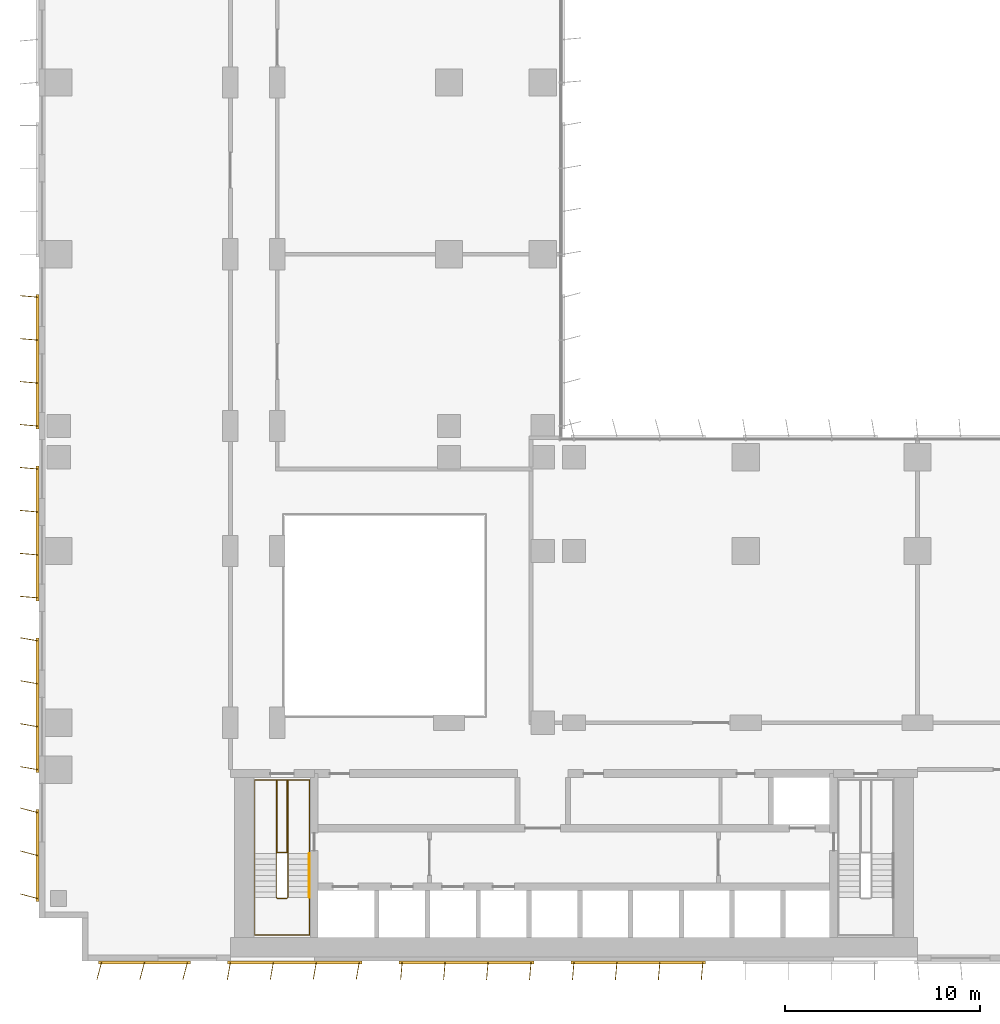
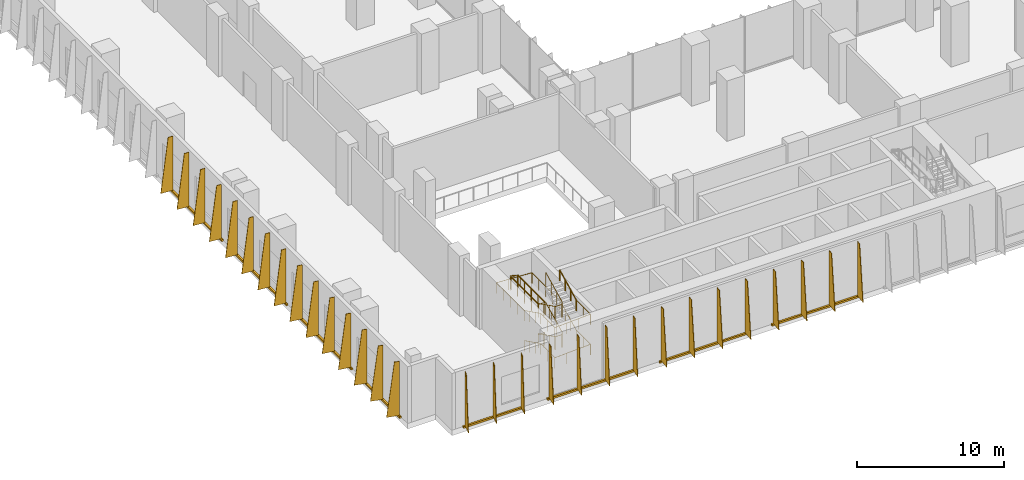
# One storey, part 18 of 23: 8 shading devices, 4 railings.
"""IFC4 building model written with IfcOpenShell, lengths in metres."""

from ifc_helpers import new_model, si_unit, direction, frame, origin, origin_2d, place, context, subcontext, project, spatial, polyline, rectangle, circle, outline, extrude, source, transform, mapped, material, layer, layer_set, type_object, element, save


model = new_model("IFC4")

# Units and contexts
model_context = context("Model", 3, precision=1e-05, world=origin(), true_north=direction((0.0, 1.0)))
body_context = subcontext(model_context, "Body", "Model", "MODEL_VIEW")
ifc_project = project(units=[si_unit("LENGTHUNIT", "METRE"), si_unit("AREAUNIT", "SQUARE_METRE"), si_unit("VOLUMEUNIT", "CUBIC_METRE"), si_unit("PLANEANGLEUNIT", "RADIAN"), si_unit("MASSUNIT", "GRAM", prefix="KILO")], contexts=[model_context])

# Site, building, storey
site_placement = place(None, origin())
site = spatial("IfcSite", under=ifc_project, at=site_placement, CompositionType="ELEMENT")
building_placement = place(site_placement, origin())
building = spatial("IfcBuilding", under=site, at=building_placement, Name="Kemantara Hotel Tower", CompositionType="ELEMENT")
storey_placement = place(building_placement, frame((0.0, 0.0, 71.0)))
storey = spatial("IfcBuildingStorey", under=building, at=storey_placement, Name="L16", CompositionType="ELEMENT", Elevation=71.0)

# Railings
ifc_material_1 = material(Name="Stainless steel balustrade", Category="steel")
railing_type_1 = type_object("IfcRailingType", Name="Stair guard 1100 mm", PredefinedType="GUARDRAIL", material=ifc_material_1)
railing_1_placement = place(storey_placement, frame((12.75, 5.5, 5.0)))
element("IfcRailing", 1, at=railing_1_placement, inside=storey, type_object=railing_type_1, Name="L16 ST1 stair guard 1", PredefinedType="GUARDRAIL", context=body_context, shape_type="SweptSolid", body=[
    extrude(circle(Radius=0.02392578125, at=origin_2d()), frame((0.0, 0.0, 1.076171875), z_axis=(0.0, -0.895848192791, -0.444360231651), x_axis=(1.0, 0.0, 0.0)), (0.0, 0.0, 1.0), 2.50048828125),
    extrude(circle(Radius=0.02392578125, at=origin_2d()), frame((0.0, -2.239990234375, -0.03515625), z_axis=(-0.321014310373, -0.321014310373, -0.891010451718), x_axis=(0.707106781187, -0.707106781187, 0.0)), (0.0, 0.0, 1.0), 0.156005859375),
    extrude(circle(Radius=0.02392578125, at=origin_2d()), frame((-0.050048828125, -2.2900390625, -0.173828125), z_axis=(-1.0, 0.0, 0.0), x_axis=(0.0, -1.0, 0.0)), (0.0, 0.0, 1.0), 0.5),
    extrude(circle(Radius=0.02392578125, at=origin_2d()), frame((-0.550048828125, -2.2900390625, -0.173828125), z_axis=(-0.707106781187, 0.707106781187, 0.0), x_axis=(-0.707106781187, -0.707106781187, 0.0)), (0.0, 0.0, 1.0), 0.07080078125),
    extrude(circle(Radius=0.02392578125, at=origin_2d()), frame((-0.60009765625, -2.239990234375, -0.173828125), z_axis=(0.0, 0.895848192791, -0.444360231651), x_axis=(-1.0, 0.0, 0.0)), (0.0, 0.0, 1.0), 2.50048828125),
    extrude(circle(Radius=0.02392578125, at=origin_2d()), frame((-0.60009765625, 0.0, -1.28515625), z_axis=(0.0, 1.0, 0.0), x_axis=(-1.0, 0.0, 0.0)), (0.0, 0.0, 1.0), 3.780029296875),
    extrude(circle(Radius=0.02392578125, at=origin_2d()), frame((-0.60009765625, 3.780029296875, -1.28515625), z_axis=(0.969557479204, 0.0, -0.244863828525), x_axis=(0.0, 1.0, 0.0)), (0.0, 0.0, 1.0), 0.5673828125),
    extrude(circle(Radius=0.02392578125, at=origin_2d()), frame((-0.050048828125, 3.780029296875, -1.423828125), z_axis=(0.0, -1.0, 0.0), x_axis=(1.0, 0.0, 0.0)), (0.0, 0.0, 1.0), 3.72998046875),
    extrude(circle(Radius=0.02392578125, at=origin_2d()), frame((-0.050048828125, 0.050048828125, -1.423828125), z_axis=(-1.0, 0.0, 0.0), x_axis=(0.0, -1.0, 0.0)), (0.0, 0.0, 1.0), 0.5),
    extrude(circle(Radius=0.02392578125, at=origin_2d()), frame((-0.550048828125, 0.050048828125, -1.423828125), z_axis=(0.0, 1.0, 0.0), x_axis=(-1.0, 0.0, 0.0)), (0.0, 0.0, 1.0), 3.72998046875),
    extrude(circle(Radius=0.02392578125, at=origin_2d()), frame((-0.550048828125, 3.780029296875, -1.423828125), z_axis=(1.0, 0.0, 0.0), x_axis=(0.0, 1.0, 0.0)), (0.0, 0.0, 1.0), 0.550048828125),
    extrude(circle(Radius=0.02392578125, at=origin_2d()), frame((0.0, 3.780029296875, -1.423828125), z_axis=(0.0, -1.0, 0.0), x_axis=(1.0, 0.0, 0.0)), (0.0, 0.0, 1.0), 3.780029296875),
    extrude(circle(Radius=0.02392578125, at=origin_2d()), frame((0.0, 0.0, -1.423828125), z_axis=(0.0, -0.895848192791, -0.444360231651), x_axis=(1.0, 0.0, 0.0)), (0.0, 0.0, 1.0), 2.50048828125),
    extrude(circle(Radius=0.02392578125, at=origin_2d()), frame((0.0, -2.239990234375, -2.53515625), z_axis=(-0.321014310373, -0.321014310373, -0.891010451718), x_axis=(0.707106781187, -0.707106781187, 0.0)), (0.0, 0.0, 1.0), 0.156005859375),
    extrude(circle(Radius=0.02392578125, at=origin_2d()), frame((-0.050048828125, -2.2900390625, -2.673828125), z_axis=(-1.0, 0.0, 0.0), x_axis=(0.0, -1.0, 0.0)), (0.0, 0.0, 1.0), 0.5),
    extrude(circle(Radius=0.02392578125, at=origin_2d()), frame((-0.550048828125, -2.2900390625, -2.673828125), z_axis=(-0.707106781187, 0.707106781187, 0.0), x_axis=(-0.707106781187, -0.707106781187, 0.0)), (0.0, 0.0, 1.0), 0.07080078125),
    extrude(circle(Radius=0.02392578125, at=origin_2d()), frame((-0.60009765625, -2.239990234375, -2.673828125), z_axis=(0.0, 0.895848192791, -0.444360231651), x_axis=(-1.0, 0.0, 0.0)), (0.0, 0.0, 1.0), 2.50048828125),
    extrude(circle(Radius=0.02392578125, at=origin_2d()), frame((-0.60009765625, 0.0, -3.78515625), z_axis=(0.321014310373, 0.321014310373, -0.891010451718), x_axis=(-0.707106781187, 0.707106781187, 0.0)), (0.0, 0.0, 1.0), 0.156005859375),
    extrude(circle(Radius=0.02392578125, at=origin_2d()), frame((-0.550048828125, 0.050048828125, -3.923828125), z_axis=(1.0, 0.0, 0.0), x_axis=(0.0, 1.0, 0.0)), (0.0, 0.0, 1.0), 0.5),
    extrude(circle(Radius=0.02099609375, at=origin_2d()), origin(), (0.0, 0.0, 1.0), 1.052001953125),
    extrude(circle(Radius=0.02099609375, at=origin_2d()), frame((0.0, -0.74658203125, -0.370361328125)), (0.0, 0.0, 1.0), 1.052001953125),
    extrude(circle(Radius=0.02099609375, at=origin_2d()), frame((0.0, -1.493408203125, -0.74072265625)), (0.0, 0.0, 1.0), 1.052001953125),
    extrude(circle(Radius=0.02099609375, at=origin_2d()), frame((0.0, -2.239990234375, -1.111083984375)), (0.0, 0.0, 1.0), 1.052001953125),
    extrude(circle(Radius=0.02099609375, at=origin_2d()), frame((-0.050048828125, -2.2900390625, -1.25)), (0.0, 0.0, 1.0), 1.052001953125),
    extrude(circle(Radius=0.02099609375, at=origin_2d()), frame((-0.550048828125, -2.2900390625, -1.25)), (0.0, 0.0, 1.0), 1.052001953125),
    extrude(circle(Radius=0.02099609375, at=origin_2d()), frame((-0.60009765625, -2.239990234375, -1.25)), (0.0, 0.0, 1.0), 1.052001953125),
    extrude(circle(Radius=0.02099609375, at=origin_2d()), frame((-0.60009765625, -1.493408203125, -1.620361328125)), (0.0, 0.0, 1.0), 1.052001953125),
    extrude(circle(Radius=0.02099609375, at=origin_2d()), frame((-0.60009765625, -0.74658203125, -1.99072265625)), (0.0, 0.0, 1.0), 1.052001953125),
    extrude(circle(Radius=0.02099609375, at=origin_2d()), frame((-0.60009765625, 0.0, -2.361083984375)), (0.0, 0.0, 1.0), 1.052001953125),
    extrude(circle(Radius=0.02099609375, at=origin_2d()), frame((-0.60009765625, 0.945068359375, -2.361083984375)), (0.0, 0.0, 1.0), 1.052001953125),
    extrude(circle(Radius=0.02099609375, at=origin_2d()), frame((-0.60009765625, 1.89013671875, -2.361083984375)), (0.0, 0.0, 1.0), 1.052001953125),
    extrude(circle(Radius=0.02099609375, at=origin_2d()), frame((-0.60009765625, 2.8349609375, -2.361083984375)), (0.0, 0.0, 1.0), 1.052001953125),
    extrude(circle(Radius=0.02099609375, at=origin_2d()), frame((-0.60009765625, 3.780029296875, -2.361083984375)), (0.0, 0.0, 1.0), 1.052001953125),
    extrude(circle(Radius=0.02099609375, at=origin_2d()), frame((-0.050048828125, 3.780029296875, -2.5)), (0.0, 0.0, 1.0), 1.052001953125),
    extrude(circle(Radius=0.02099609375, at=origin_2d()), frame((-0.050048828125, 2.84765625, -2.5)), (0.0, 0.0, 1.0), 1.052001953125),
    extrude(circle(Radius=0.02099609375, at=origin_2d()), frame((-0.050048828125, 1.9150390625, -2.5)), (0.0, 0.0, 1.0), 1.052001953125),
    extrude(circle(Radius=0.02099609375, at=origin_2d()), frame((-0.050048828125, 0.982421875, -2.5)), (0.0, 0.0, 1.0), 1.052001953125),
    extrude(circle(Radius=0.02099609375, at=origin_2d()), frame((-0.050048828125, 0.050048828125, -2.5)), (0.0, 0.0, 1.0), 1.052001953125),
    extrude(circle(Radius=0.02099609375, at=origin_2d()), frame((-0.550048828125, 0.050048828125, -2.5)), (0.0, 0.0, 1.0), 1.052001953125),
    extrude(circle(Radius=0.02099609375, at=origin_2d()), frame((-0.550048828125, 0.982421875, -2.5)), (0.0, 0.0, 1.0), 1.052001953125),
    extrude(circle(Radius=0.02099609375, at=origin_2d()), frame((-0.550048828125, 1.9150390625, -2.5)), (0.0, 0.0, 1.0), 1.052001953125),
    extrude(circle(Radius=0.02099609375, at=origin_2d()), frame((-0.550048828125, 2.84765625, -2.5)), (0.0, 0.0, 1.0), 1.052001953125),
    extrude(circle(Radius=0.02099609375, at=origin_2d()), frame((-0.550048828125, 3.780029296875, -2.5)), (0.0, 0.0, 1.0), 1.052001953125),
    extrude(circle(Radius=0.02099609375, at=origin_2d()), frame((0.0, 3.780029296875, -2.5)), (0.0, 0.0, 1.0), 1.052001953125),
    extrude(circle(Radius=0.02099609375, at=origin_2d()), frame((0.0, 2.8349609375, -2.5)), (0.0, 0.0, 1.0), 1.052001953125),
    extrude(circle(Radius=0.02099609375, at=origin_2d()), frame((0.0, 1.89013671875, -2.5)), (0.0, 0.0, 1.0), 1.052001953125),
    extrude(circle(Radius=0.02099609375, at=origin_2d()), frame((0.0, 0.945068359375, -2.5)), (0.0, 0.0, 1.0), 1.052001953125),
    extrude(circle(Radius=0.02099609375, at=origin_2d()), frame((0.0, 0.0, -2.5)), (0.0, 0.0, 1.0), 1.052001953125),
    extrude(circle(Radius=0.02099609375, at=origin_2d()), frame((0.0, -0.74658203125, -2.870361328125)), (0.0, 0.0, 1.0), 1.052001953125),
    extrude(circle(Radius=0.02099609375, at=origin_2d()), frame((0.0, -1.493408203125, -3.24072265625)), (0.0, 0.0, 1.0), 1.052001953125),
    extrude(circle(Radius=0.02099609375, at=origin_2d()), frame((0.0, -2.239990234375, -3.611083984375)), (0.0, 0.0, 1.0), 1.052001953125),
    extrude(circle(Radius=0.02099609375, at=origin_2d()), frame((-0.050048828125, -2.2900390625, -3.75)), (0.0, 0.0, 1.0), 1.052001953125),
    extrude(circle(Radius=0.02099609375, at=origin_2d()), frame((-0.550048828125, -2.2900390625, -3.75)), (0.0, 0.0, 1.0), 1.052001953125),
    extrude(circle(Radius=0.02099609375, at=origin_2d()), frame((-0.60009765625, -2.239990234375, -3.75)), (0.0, 0.0, 1.0), 1.052001953125),
    extrude(circle(Radius=0.02099609375, at=origin_2d()), frame((-0.60009765625, -1.493408203125, -4.120361328125)), (0.0, 0.0, 1.0), 1.052001953125),
    extrude(circle(Radius=0.02099609375, at=origin_2d()), frame((-0.60009765625, -0.74658203125, -4.49072265625)), (0.0, 0.0, 1.0), 1.052001953125),
    extrude(circle(Radius=0.02099609375, at=origin_2d()), frame((-0.60009765625, 0.0, -4.861083984375)), (0.0, 0.0, 1.0), 1.052001953125),
    extrude(circle(Radius=0.02099609375, at=origin_2d()), frame((-0.550048828125, 0.050048828125, -5.0)), (0.0, 0.0, 1.0), 1.052001953125),
    extrude(circle(Radius=0.02099609375, at=origin_2d()), frame((-0.050048828125, 0.050048828125, -5.0)), (0.0, 0.0, 1.0), 1.052001953125),
])
railing_type_2 = type_object("IfcRailingType", Name="Stair handrail 900 mm", PredefinedType="HANDRAIL", material=ifc_material_1)
railing_2_placement = place(storey_placement, frame((11.050048828125, 5.5, 0.138916015625)))
element("IfcRailing", 2, at=railing_2_placement, inside=storey, type_object=railing_type_2, Name="L16 ST1 stair handrail 1", PredefinedType="HANDRAIL", context=body_context, shape_type="SweptSolid", body=[
    extrude(circle(Radius=0.02392578125, at=origin_2d()), frame((0.0, 0.0, 0.8759765625), z_axis=(0.0, -0.895848192791, 0.444360231651), x_axis=(1.0, 0.0, 0.0)), (0.0, 0.0, 1.0), 2.50048828125),
    extrude(circle(Radius=0.02392578125, at=origin_2d()), frame((0.0, -2.239990234375, 1.98681640625), z_axis=(0.0, -1.0, 0.0), x_axis=(1.0, 0.0, 0.0)), (0.0, 0.0, 1.0), 1.93994140625),
    extrude(circle(Radius=0.02392578125, at=origin_2d()), frame((0.0, -4.179931640625, 1.98681640625), z_axis=(0.998771592041, 0.0, 0.049551053786), x_axis=(0.0, 1.0, 0.0)), (0.0, 0.0, 1.0), 2.803466796875),
    extrude(circle(Radius=0.02392578125, at=origin_2d()), frame((2.800048828125, -4.179931640625, 2.1259765625), z_axis=(0.0, 1.0, 0.0), x_axis=(-1.0, 0.0, 0.0)), (0.0, 0.0, 1.0), 1.93994140625),
    extrude(circle(Radius=0.02392578125, at=origin_2d()), frame((2.800048828125, -2.239990234375, 2.1259765625), z_axis=(0.0, 0.895848192791, 0.444360231651), x_axis=(-1.0, 0.0, 0.0)), (0.0, 0.0, 1.0), 2.50048828125),
    extrude(circle(Radius=0.02099609375, at=origin_2d()), origin(), (0.0, 0.0, 1.0), 0.851806640625),
    extrude(circle(Radius=0.02099609375, at=origin_2d()), frame((0.0, -0.74658203125, 0.370361328125)), (0.0, 0.0, 1.0), 0.851806640625),
    extrude(circle(Radius=0.02099609375, at=origin_2d()), frame((0.0, -1.493408203125, 0.74072265625)), (0.0, 0.0, 1.0), 0.851806640625),
    extrude(circle(Radius=0.02099609375, at=origin_2d()), frame((0.0, -2.239990234375, 1.111083984375)), (0.0, 0.0, 1.0), 0.851806640625),
    extrude(circle(Radius=0.02099609375, at=origin_2d()), frame((0.0, -3.2099609375, 1.111083984375)), (0.0, 0.0, 1.0), 0.851806640625),
    extrude(circle(Radius=0.02099609375, at=origin_2d()), frame((0.0, -4.179931640625, 1.111083984375)), (0.0, 0.0, 1.0), 0.851806640625),
    extrude(circle(Radius=0.02099609375, at=origin_2d()), frame((0.933349609375, -4.179931640625, 1.157470703125)), (0.0, 0.0, 1.0), 0.851806640625),
    extrude(circle(Radius=0.02099609375, at=origin_2d()), frame((1.86669921875, -4.179931640625, 1.20361328125)), (0.0, 0.0, 1.0), 0.851806640625),
    extrude(circle(Radius=0.02099609375, at=origin_2d()), frame((2.800048828125, -4.179931640625, 1.25)), (0.0, 0.0, 1.0), 0.851806640625),
    extrude(circle(Radius=0.02099609375, at=origin_2d()), frame((2.800048828125, -3.2099609375, 1.25)), (0.0, 0.0, 1.0), 0.851806640625),
    extrude(circle(Radius=0.02099609375, at=origin_2d()), frame((2.800048828125, -2.239990234375, 1.25)), (0.0, 0.0, 1.0), 0.851806640625),
    extrude(circle(Radius=0.02099609375, at=origin_2d()), frame((2.800048828125, -1.493408203125, 1.620361328125)), (0.0, 0.0, 1.0), 0.851806640625),
    extrude(circle(Radius=0.02099609375, at=origin_2d()), frame((2.800048828125, -0.74658203125, 1.99072265625)), (0.0, 0.0, 1.0), 0.851806640625),
    extrude(circle(Radius=0.02099609375, at=origin_2d()), frame((2.800048828125, 0.0, 2.361083984375)), (0.0, 0.0, 1.0), 0.851806640625),
])
railing_3_placement = place(storey_placement, frame((13.85009765625, 5.5, 2.5)))
element("IfcRailing", 3, at=railing_3_placement, inside=storey, type_object=railing_type_2, Name="L16 ST1 stair handrail 2", PredefinedType="HANDRAIL", context=body_context, shape_type="SweptSolid", body=[
    extrude(circle(Radius=0.02392578125, at=origin_2d()), frame((0.0, 0.0, 0.8759765625), z_axis=(0.0, 1.0, 0.0), x_axis=(-1.0, 0.0, 0.0)), (0.0, 0.0, 1.0), 3.780029296875),
    extrude(circle(Radius=0.02392578125, at=origin_2d()), frame((0.0, 3.780029296875, 0.8759765625), z_axis=(-0.998771592041, 0.0, 0.049551053786), x_axis=(0.0, -1.0, 0.0)), (0.0, 0.0, 1.0), 2.803466796875),
    extrude(circle(Radius=0.02392578125, at=origin_2d()), frame((-2.800048828125, 3.780029296875, 1.0146484375), z_axis=(0.0, -1.0, 0.0), x_axis=(1.0, 0.0, 0.0)), (0.0, 0.0, 1.0), 3.780029296875),
    extrude(circle(Radius=0.02392578125, at=origin_2d()), frame((-2.800048828125, 0.0, 1.0146484375), z_axis=(0.0, -0.895848192791, 0.444360231651), x_axis=(1.0, 0.0, 0.0)), (0.0, 0.0, 1.0), 2.50048828125),
    extrude(circle(Radius=0.02392578125, at=origin_2d()), frame((-2.800048828125, -2.239990234375, 2.1259765625), z_axis=(0.0, -1.0, 0.0), x_axis=(1.0, 0.0, 0.0)), (0.0, 0.0, 1.0), 1.93994140625),
    extrude(circle(Radius=0.02392578125, at=origin_2d()), frame((-2.800048828125, -4.179931640625, 2.1259765625), z_axis=(0.998771592041, 0.0, 0.049551053786), x_axis=(0.0, 1.0, 0.0)), (0.0, 0.0, 1.0), 2.803466796875),
    extrude(circle(Radius=0.02392578125, at=origin_2d()), frame((0.0, -4.179931640625, 2.2646484375), z_axis=(0.0, 1.0, 0.0), x_axis=(-1.0, 0.0, 0.0)), (0.0, 0.0, 1.0), 1.93994140625),
    extrude(circle(Radius=0.02099609375, at=origin_2d()), origin(), (0.0, 0.0, 1.0), 0.851806640625),
    extrude(circle(Radius=0.02099609375, at=origin_2d()), frame((0.0, 0.945068359375, 0.0)), (0.0, 0.0, 1.0), 0.851806640625),
    extrude(circle(Radius=0.02099609375, at=origin_2d()), frame((0.0, 1.89013671875, 0.0)), (0.0, 0.0, 1.0), 0.851806640625),
    extrude(circle(Radius=0.02099609375, at=origin_2d()), frame((0.0, 2.8349609375, 0.0)), (0.0, 0.0, 1.0), 0.851806640625),
    extrude(circle(Radius=0.02099609375, at=origin_2d()), frame((0.0, 3.780029296875, 0.0)), (0.0, 0.0, 1.0), 0.851806640625),
    extrude(circle(Radius=0.02099609375, at=origin_2d()), frame((-0.933349609375, 3.780029296875, 0.04638671875)), (0.0, 0.0, 1.0), 0.851806640625),
    extrude(circle(Radius=0.02099609375, at=origin_2d()), frame((-1.86669921875, 3.780029296875, 0.092529296875)), (0.0, 0.0, 1.0), 0.851806640625),
    extrude(circle(Radius=0.02099609375, at=origin_2d()), frame((-2.800048828125, 3.780029296875, 0.138916015625)), (0.0, 0.0, 1.0), 0.851806640625),
    extrude(circle(Radius=0.02099609375, at=origin_2d()), frame((-2.800048828125, 2.8349609375, 0.138916015625)), (0.0, 0.0, 1.0), 0.851806640625),
    extrude(circle(Radius=0.02099609375, at=origin_2d()), frame((-2.800048828125, 1.89013671875, 0.138916015625)), (0.0, 0.0, 1.0), 0.851806640625),
    extrude(circle(Radius=0.02099609375, at=origin_2d()), frame((-2.800048828125, 0.945068359375, 0.138916015625)), (0.0, 0.0, 1.0), 0.851806640625),
    extrude(circle(Radius=0.02099609375, at=origin_2d()), frame((-2.800048828125, 0.0, 0.138916015625)), (0.0, 0.0, 1.0), 0.851806640625),
    extrude(circle(Radius=0.02099609375, at=origin_2d()), frame((-2.800048828125, -0.74658203125, 0.50927734375)), (0.0, 0.0, 1.0), 0.851806640625),
    extrude(circle(Radius=0.02099609375, at=origin_2d()), frame((-2.800048828125, -1.493408203125, 0.879638671875)), (0.0, 0.0, 1.0), 0.851806640625),
    extrude(circle(Radius=0.02099609375, at=origin_2d()), frame((-2.800048828125, -2.239990234375, 1.25)), (0.0, 0.0, 1.0), 0.851806640625),
    extrude(circle(Radius=0.02099609375, at=origin_2d()), frame((-2.800048828125, -3.2099609375, 1.25)), (0.0, 0.0, 1.0), 0.851806640625),
    extrude(circle(Radius=0.02099609375, at=origin_2d()), frame((-2.800048828125, -4.179931640625, 1.25)), (0.0, 0.0, 1.0), 0.851806640625),
    extrude(circle(Radius=0.02099609375, at=origin_2d()), frame((-1.86669921875, -4.179931640625, 1.29638671875)), (0.0, 0.0, 1.0), 0.851806640625),
    extrude(circle(Radius=0.02099609375, at=origin_2d()), frame((-0.933349609375, -4.179931640625, 1.342529296875)), (0.0, 0.0, 1.0), 0.851806640625),
    extrude(circle(Radius=0.02099609375, at=origin_2d()), frame((0.0, -4.179931640625, 1.388916015625)), (0.0, 0.0, 1.0), 0.851806640625),
    extrude(circle(Radius=0.02099609375, at=origin_2d()), frame((0.0, -3.2099609375, 1.388916015625)), (0.0, 0.0, 1.0), 0.851806640625),
    extrude(circle(Radius=0.02099609375, at=origin_2d()), frame((0.0, -2.239990234375, 1.388916015625)), (0.0, 0.0, 1.0), 0.851806640625),
])
railing_4_placement = place(storey_placement, frame((13.85009765625, 3.260009765625, 3.888916015625)))
element("IfcRailing", 4, at=railing_4_placement, inside=storey, type_object=railing_type_2, Name="L16 ST1 stair handrail 3", PredefinedType="HANDRAIL", context=body_context, shape_type="SweptSolid", body=[
    extrude(circle(Radius=0.02392578125, at=origin_2d()), frame((0.0, 0.0, 0.8759765625), z_axis=(0.0, 0.895848192791, 0.444360231651), x_axis=(-1.0, 0.0, 0.0)), (0.0, 0.0, 1.0), 2.50048828125),
    extrude(circle(Radius=0.02099609375, at=origin_2d()), origin(), (0.0, 0.0, 1.0), 0.851806640625),
    extrude(circle(Radius=0.02099609375, at=origin_2d()), frame((0.0, 0.74658203125, 0.370361328125)), (0.0, 0.0, 1.0), 0.851806640625),
    extrude(circle(Radius=0.02099609375, at=origin_2d()), frame((0.0, 1.493408203125, 0.74072265625)), (0.0, 0.0, 1.0), 0.851806640625),
    extrude(circle(Radius=0.02099609375, at=origin_2d()), frame((0.0, 2.239990234375, 1.111083984375)), (0.0, 0.0, 1.0), 0.851806640625),
])

# Shading devices
ifc_material_2 = material(Name="Perforated aluminium plate 4 mm bronze anodised", Category="aluminium")
ifc_layer_1 = layer(ifc_material_2, 0.0400390625)
ifc_layer_set_1 = layer_set([ifc_layer_1], Name="Perforated aluminium plate 4 mm bronze anodised")
shading_device_type_1 = type_object("IfcShadingDeviceType", Name="SCREEN FIN CASSETTE, 3 BLADES AT -15.0 DEG, 4500 HIGH", PredefinedType="USERDEFINED", material=ifc_layer_set_1)
shared_shape_1 = source(origin(), body_context, "Body", "SweptSolid", [
    extrude(rectangle(XDim=4.699951171875, YDim=0.14990234375, at=origin_2d()), frame((2.199951171875, -0.074951171875, -0.14990234375), z_axis=(0.0, 0.0, 1.0), x_axis=(1.0, 0.0, 0.0)), (0.0, 0.0, 1.0), 0.14990234375),
    extrude(outline(polyline([(0.0, 0.0), (0.89990234375, 0.0), (0.35009765625, 4.5), (0.0, 4.5), (0.0, 0.0)])), frame((0.019287109375, -0.080078125, 0.0), z_axis=(-0.966437683387, 0.256901156343, 0.0), x_axis=(-0.256901156343, -0.966437683387, 0.0)), (0.0, 0.0, 1.0), 0.039794921875),
    extrude(outline(polyline([(0.0, 0.0), (0.89990234375, 0.0), (0.35009765625, 4.5), (0.0, 4.5), (0.0, 0.0)])), frame((2.21923828125, -0.080078125, 0.0), z_axis=(-0.966437683387, 0.256901156343, 0.0), x_axis=(-0.256901156343, -0.966437683387, 0.0)), (0.0, 0.0, 1.0), 0.039794921875),
    extrude(outline(polyline([(0.0, 0.0), (0.89990234375, 0.0), (0.35009765625, 4.5), (0.0, 4.5), (0.0, 0.0)])), frame((4.41943359375, -0.080078125, 0.0), z_axis=(-0.966837822169, 0.255391122837, 0.0), x_axis=(-0.255391122837, -0.966837822169, 0.0)), (0.0, 0.0, 1.0), 0.0400390625),
])
for number, where, z_axis, x_axis, name in (
    (5, (3.199951171875, 0.0, 0.10009765625), (0.0, 0.0, 1.0), (1.0, 0.0, 0.0), "SCREEN FIN CASSETTE L16 T1-R01-1"),
    (6, (0.0, 7.60009765625, 0.10009765625), (0.0, 0.0, 1.0), (0.0, -1.0, 0.0), "SCREEN FIN CASSETTE L16 T1-R14-9"),
):
    element("IfcShadingDevice", number, at=place(storey_placement, frame(where, z_axis=z_axis, x_axis=x_axis)), inside=storey, type_object=shading_device_type_1, Name=name, ObjectType="SCREEN FIN", PredefinedType="USERDEFINED", context=body_context, shape_type="MappedRepresentation", body=[
        mapped(shared_shape_1, transform((0.0, 0.0, 0.0))),
    ])
ifc_layer_2 = layer(ifc_material_2, 0.0400390625)
ifc_layer_set_2 = layer_set([ifc_layer_2], Name="Perforated aluminium plate 4 mm bronze anodised")
shading_device_type_2 = type_object("IfcShadingDeviceType", Name="SCREEN FIN CASSETTE, 4 BLADES AT -10.0 DEG, 4500 HIGH", PredefinedType="USERDEFINED", material=ifc_layer_set_2)
shared_shape_2 = source(origin(), body_context, "Body", "SweptSolid", [
    extrude(rectangle(XDim=6.89990234375, YDim=0.14990234375, at=origin_2d()), frame((3.300048828125, -0.074951171875, -0.14990234375), z_axis=(0.0, 0.0, 1.0), x_axis=(1.0, 0.0, 0.0)), (0.0, 0.0, 1.0), 0.14990234375),
    extrude(outline(polyline([(0.0, 0.0), (0.89990234375, 0.0), (0.35009765625, 4.5), (0.0, 4.5), (0.0, 0.0)])), frame((0.019775390625, -0.078369140625, 0.0), z_axis=(-0.985389793052, 0.170314285219, 0.0), x_axis=(-0.170314285219, -0.985389793052, 0.0)), (0.0, 0.0, 1.0), 0.0400390625),
    extrude(outline(polyline([(0.0, 0.0), (0.89990234375, 0.0), (0.35009765625, 4.5), (0.0, 4.5), (0.0, 0.0)])), frame((2.2197265625, -0.078369140625, 0.0), z_axis=(-0.98521175482, 0.171341174751, 0.0), x_axis=(-0.171341174751, -0.98521175482, 0.0)), (0.0, 0.0, 1.0), 0.039794921875),
    extrude(outline(polyline([(0.0, 0.0), (0.89990234375, 0.0), (0.35009765625, 4.5), (0.0, 4.5), (0.0, 0.0)])), frame((4.419677734375, -0.078369140625, 0.0), z_axis=(-0.98521175482, 0.171341174751, 0.0), x_axis=(-0.171341174751, -0.98521175482, 0.0)), (0.0, 0.0, 1.0), 0.039794921875),
    extrude(outline(polyline([(0.0, 0.0), (0.89990234375, 0.0), (0.35009765625, 4.5), (0.0, 4.5), (0.0, 0.0)])), frame((6.61962890625, -0.078369140625, 0.0), z_axis=(-0.98521175482, 0.171341174751, 0.0), x_axis=(-0.171341174751, -0.98521175482, 0.0)), (0.0, 0.0, 1.0), 0.039794921875),
])
for number, where, z_axis, x_axis, name in (
    (7, (9.800048828125, 0.0, 0.10009765625), (0.0, 0.0, 1.0), (1.0, 0.0, 0.0), "SCREEN FIN CASSETTE L16 T1-R01-2"),
    (8, (0.0, 16.39990234375, 0.10009765625), (0.0, 0.0, 1.0), (0.0, -1.0, 0.0), "SCREEN FIN CASSETTE L16 T1-R14-8"),
):
    element("IfcShadingDevice", number, at=place(storey_placement, frame(where, z_axis=z_axis, x_axis=x_axis)), inside=storey, type_object=shading_device_type_2, Name=name, ObjectType="SCREEN FIN", PredefinedType="USERDEFINED", context=body_context, shape_type="MappedRepresentation", body=[
        mapped(shared_shape_2, transform((0.0, 0.0, 0.0))),
    ])
ifc_layer_3 = layer(ifc_material_2, 0.0400390625)
ifc_layer_set_3 = layer_set([ifc_layer_3], Name="Perforated aluminium plate 4 mm bronze anodised")
shading_device_type_3 = type_object("IfcShadingDeviceType", Name="SCREEN FIN CASSETTE, 4 BLADES AT -5.0 DEG, 4500 HIGH", PredefinedType="USERDEFINED", material=ifc_layer_set_3)
shared_shape_3 = source(origin(), body_context, "Body", "SweptSolid", [
    extrude(rectangle(XDim=6.89990234375, YDim=0.14990234375, at=origin_2d()), frame((3.300048828125, -0.074951171875, -0.14990234375), z_axis=(0.0, 0.0, 1.0), x_axis=(1.0, 0.0, 0.0)), (0.0, 0.0, 1.0), 0.14990234375),
    extrude(outline(polyline([(0.0, 0.0), (0.89990234375, 0.0), (0.35009765625, 4.5), (0.0, 4.5), (0.0, 0.0)])), frame((0.02001953125, -0.07666015625, 0.0), z_axis=(-0.996376129781, 0.085056498884, 0.0), x_axis=(-0.085056498884, -0.996376129781, 0.0)), (0.0, 0.0, 1.0), 0.040283203125),
    extrude(outline(polyline([(0.0, 0.0), (0.89990234375, 0.0), (0.35009765625, 4.5), (0.0, 4.5), (0.0, 0.0)])), frame((2.219970703125, -0.07666015625, 0.0), z_axis=(-0.996331773833, 0.085574508182, 0.0), x_axis=(-0.085574508182, -0.996331773833, 0.0)), (0.0, 0.0, 1.0), 0.0400390625),
    extrude(outline(polyline([(0.0, 0.0), (0.89990234375, 0.0), (0.35009765625, 4.5), (0.0, 4.5), (0.0, 0.0)])), frame((4.419921875, -0.07666015625, 0.0), z_axis=(-0.996331773833, 0.085574508182, 0.0), x_axis=(-0.085574508182, -0.996331773833, 0.0)), (0.0, 0.0, 1.0), 0.0400390625),
    extrude(outline(polyline([(0.0, 0.0), (0.89990234375, 0.0), (0.35009765625, 4.5), (0.0, 4.5), (0.0, 0.0)])), frame((6.619873046875, -0.07666015625, 0.0), z_axis=(-0.996331773833, 0.085574508182, 0.0), x_axis=(-0.085574508182, -0.996331773833, 0.0)), (0.0, 0.0, 1.0), 0.0400390625),
])
for number, where, z_axis, x_axis, name in (
    (9, (18.60009765625, 0.0, 0.10009765625), (0.0, 0.0, 1.0), (1.0, 0.0, 0.0), "SCREEN FIN CASSETTE L16 T1-R01-3"),
    (10, (27.39990234375, 0.0, 0.10009765625), (0.0, 0.0, 1.0), (1.0, 0.0, 0.0), "SCREEN FIN CASSETTE L16 T1-R01-4"),
    (11, (0.0, 34.0, 0.10009765625), (0.0, 0.0, 1.0), (0.0, -1.0, 0.0), "SCREEN FIN CASSETTE L16 T1-R14-6"),
    (12, (0.0, 25.199951171875, 0.10009765625), (0.0, 0.0, 1.0), (0.0, -1.0, 0.0), "SCREEN FIN CASSETTE L16 T1-R14-7"),
):
    element("IfcShadingDevice", number, at=place(storey_placement, frame(where, z_axis=z_axis, x_axis=x_axis)), inside=storey, type_object=shading_device_type_3, Name=name, ObjectType="SCREEN FIN", PredefinedType="USERDEFINED", context=body_context, shape_type="MappedRepresentation", body=[
        mapped(shared_shape_3, transform((0.0, 0.0, 0.0))),
    ])

save(model, "model.ifc")
